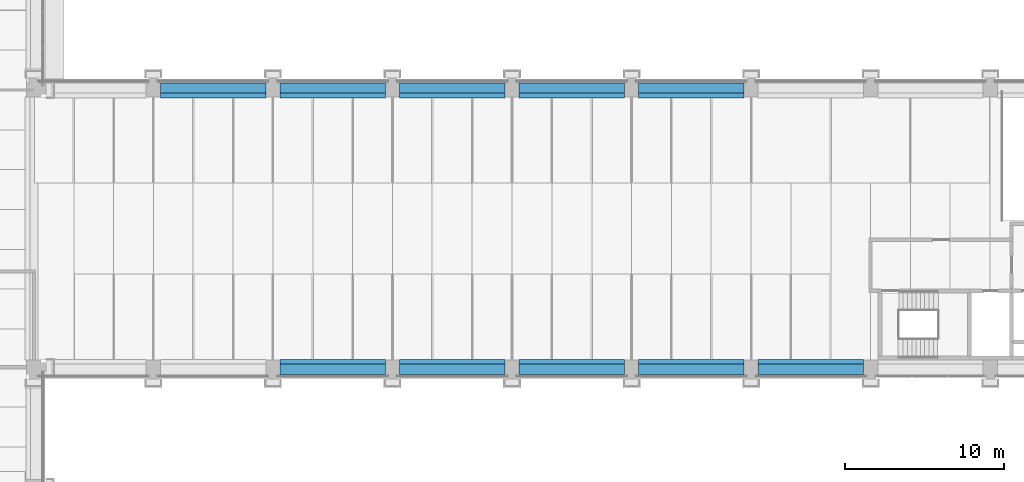
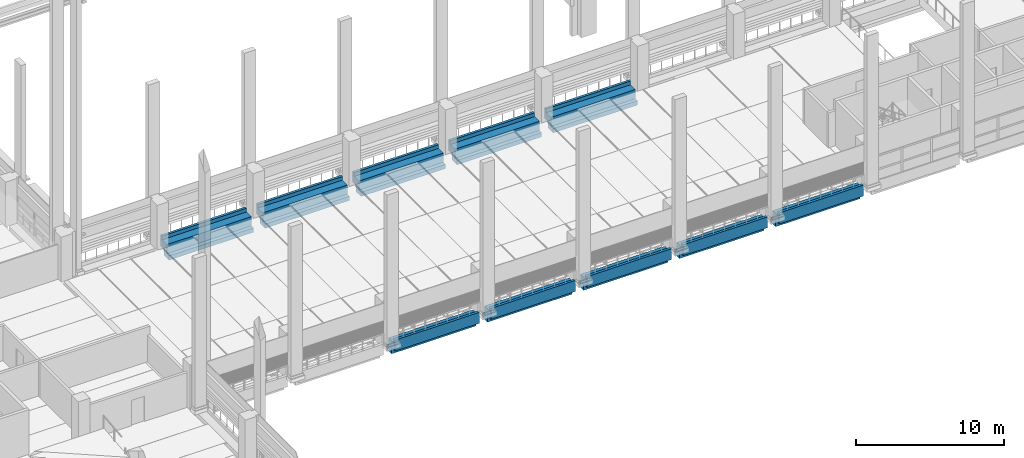
# One storey, part 6 of 67: 10 beams.
"""IFC4 building model written with IfcOpenShell, lengths in metres."""

import ifcopenshell
import ifcopenshell.guid

model = None  # the IFC model being written
_history = None  # IfcOwnerHistory: only IFC2X3 demands one
_inside = {}  # id of a spatial element -> (the spatial element, [elements in it])
_under = {}  # id of a project, library or spatial element -> (it, [spatial elements below it])
_declared = {}  # id of a project -> (the project, [libraries it declares])
_typed = {}  # id of a type object -> (the type object, [elements of that type])
_made_of = {}  # id of a material, layer set ... -> (it, [elements and type objects made of it])


def new_model(schema):
    """Start an empty IFC model of exactly this schema.

    Asked for "IFC4X3", IfcOpenShell would pick the latest addendum, in which some entities
    have other attributes; the version numbers below select the first issue.
    IFC2X3 requires an IfcOwnerHistory on every rooted entity: one is made here for all.
    """
    global model, _history
    if schema == "IFC4X3":
        model = ifcopenshell.file(schema_version=(4, 3, 0, 0))
    else:
        model = ifcopenshell.file(schema=schema)
    _inside.clear()
    _under.clear()
    _declared.clear()
    _typed.clear()
    _made_of.clear()
    _history = None
    if model.schema == "IFC2X3":
        org = make("IfcOrganization", Name="unknown")
        user = make(
            "IfcPersonAndOrganization",
            ThePerson=make("IfcPerson", FamilyName="unknown"),
            TheOrganization=org,
        )
        app = make(
            "IfcApplication",
            ApplicationDeveloper=org,
            Version="unknown",
            ApplicationFullName="unknown",
            ApplicationIdentifier="unknown",
        )
        _history = make(
            "IfcOwnerHistory",
            OwningUser=user,
            OwningApplication=app,
            ChangeAction="ADDED",
            CreationDate=0,
        )
    return model


def make(cls, **values):
    """One entity of the class cls with the attributes given. An attribute that is None is left unset."""
    return model.create_entity(
        cls, **{name: value for name, value in values.items() if value is not None}
    )


def rooted(cls, **values):
    """An entity with a GlobalId (a new one), such as an element, a storey or a relation."""
    return make(cls, GlobalId=ifcopenshell.guid.new(), OwnerHistory=_history, **values)


def si_unit(unit_type, name, prefix=None):
    """IfcSIUnit, for example si_unit("LENGTHUNIT", "METRE", prefix="MILLI")."""
    return make("IfcSIUnit", UnitType=unit_type, Prefix=prefix, Name=name)


def assignment(units):
    """IfcUnitAssignment: the units of a project."""
    return None if units is None else make("IfcUnitAssignment", Units=units)


def point(xyz):
    """IfcCartesianPoint."""
    return None if xyz is None else make("IfcCartesianPoint", Coordinates=xyz)


def direction(xyz):
    """IfcDirection."""
    return None if xyz is None else make("IfcDirection", DirectionRatios=xyz)


def frame(location, z_axis=None, x_axis=None):
    """IfcAxis2Placement3D, a coordinate frame: its origin and axes. An axis left out is left unset."""
    return make(
        "IfcAxis2Placement3D",
        Location=point(location),
        Axis=direction(z_axis),
        RefDirection=direction(x_axis),
    )


def origin():
    """The frame at (0, 0, 0) with its axes left unset."""
    return frame((0.0, 0.0, 0.0))


def place(relative_to, where):
    """IfcLocalPlacement: puts the frame where relative to a parent placement (None: the world)."""
    return make(
        "IfcLocalPlacement", PlacementRelTo=relative_to, RelativePlacement=where
    )


def context(
    kind, dimensions, precision=None, world=None, true_north=None, identifier=None
):
    """IfcGeometricRepresentationContext, for example the 3D "Model" context."""
    return make(
        "IfcGeometricRepresentationContext",
        ContextIdentifier=identifier,
        ContextType=kind,
        CoordinateSpaceDimension=dimensions,
        Precision=precision,
        WorldCoordinateSystem=world,
        TrueNorth=true_north,
    )


def subcontext(parent, identifier, kind, view, scale=None):
    """IfcGeometricRepresentationSubContext, for example "Body" below "Model"."""
    return make(
        "IfcGeometricRepresentationSubContext",
        ContextIdentifier=identifier,
        ContextType=kind,
        ParentContext=parent,
        TargetScale=scale,
        TargetView=view,
    )


def project(units=None, contexts=None):
    """IfcProject with its units and contexts."""
    return rooted(
        "IfcProject",
        Name="project",
        RepresentationContexts=contexts,
        UnitsInContext=assignment(units),
    )


def spatial(cls, under=None, at=None, **own):
    """A site, building, storey or space (cls), placed at a placement, below another one or the project."""
    s = rooted(cls, ObjectPlacement=at, **own)
    if under is not None:
        _under.setdefault(under.id(), (under, []))[1].append(s)
    return s


def polyline(points):
    """IfcPolyline through the points."""
    return make("IfcPolyline", Points=[point(p) for p in points])


def outline(outer, holes=None, kind="AREA"):
    """IfcArbitraryClosedProfileDef: a profile drawn as a closed curve; with holes, ...WithVoids."""
    if holes is None:
        return make("IfcArbitraryClosedProfileDef", ProfileType=kind, OuterCurve=outer)
    return make(
        "IfcArbitraryProfileDefWithVoids",
        ProfileType=kind,
        OuterCurve=outer,
        InnerCurves=holes,
    )


def extrude(swept, where, along, depth):
    """IfcExtrudedAreaSolid: the profile swept, set in the frame where, extruded along a direction by depth."""
    return make(
        "IfcExtrudedAreaSolid",
        SweptArea=swept,
        Position=where,
        ExtrudedDirection=direction(along),
        Depth=depth,
    )


def shape(context_of_items, identifier, shape_type, items):
    """IfcShapeRepresentation: the items that make up one representation, for example the "Body"."""
    return make(
        "IfcShapeRepresentation",
        ContextOfItems=context_of_items,
        RepresentationIdentifier=identifier,
        RepresentationType=shape_type,
        Items=items,
    )


def material(Name=None, Category=None):
    """IfcMaterial."""
    return make("IfcMaterial", Name=Name, Category=Category)


def material_profile(
    of_material, cross_section, Name=None, Category=None, Priority=None
):
    """IfcMaterialProfile: a cross section and its material."""
    return make(
        "IfcMaterialProfile",
        Name=Name,
        Material=of_material,
        Profile=cross_section,
        Priority=Priority,
        Category=Category,
    )


def profile_set(profiles, Name=None, composite=None):
    """IfcMaterialProfileSet."""
    return make(
        "IfcMaterialProfileSet",
        Name=Name,
        MaterialProfiles=profiles,
        CompositeProfile=composite,
    )


def made_of(thing, what):
    """Note that an element or type object is made of a material, layer set ...; save() writes the relation."""
    if what is not None:
        _made_of.setdefault(what.id(), (what, []))[1].append(thing)
    return thing


def type_object(cls, material=None, **own):
    """A type object (cls), such as IfcWallType, which elements share."""
    return made_of(rooted(cls, **own), material)


def element(
    cls,
    number,
    at=None,
    inside=None,
    cuts=None,
    type_object=None,
    material=None,
    context=None,
    identifier="Body",
    shape_type=None,
    held_by="IfcProductDefinitionShape",
    body=None,
    shapes=None,
    **own,
):
    """One element of the class cls, such as IfcWall. Its Tag is "e" and its number.

    at: its placement. inside: the storey or other place that contains it. cuts: it is an
    opening in that element (IfcRelVoidsElement). A single representation is given by context,
    identifier, shape_type and body (its items); several are given by shapes. held_by: the class
    of the entity that holds the representations. save() writes the other relations.
    """
    e = rooted(cls, Tag="e%d" % number, ObjectPlacement=at, **own)
    if body is not None:
        shapes = [shape(context, identifier, shape_type, body)]
    if shapes is not None:
        e.Representation = make(held_by, Representations=shapes)
    if inside is not None:
        _inside.setdefault(inside.id(), (inside, []))[1].append(e)
    if cuts is not None:
        rooted(
            "IfcRelVoidsElement", RelatingBuildingElement=cuts, RelatedOpeningElement=e
        )
    if type_object is not None:
        _typed.setdefault(type_object.id(), (type_object, []))[1].append(e)
    return made_of(e, material)


def aggregate(whole, parts):
    """IfcRelAggregates: a whole, such as a stair, and the parts it consists of."""
    return rooted("IfcRelAggregates", RelatingObject=whole, RelatedObjects=parts)


def save(model, path):
    """Write the relations noted so far, then the file.

    IfcRelAggregates (storeys below a building ...), IfcRelContainedInSpatialStructure (elements
    in a storey), IfcRelDefinesByType, IfcRelAssociatesMaterial and IfcRelDeclares: one each for
    every whole, place, type object, material and project.
    """
    for whole, parts in _under.values():
        aggregate(whole, parts)
    for where, things in _inside.values():
        rooted(
            "IfcRelContainedInSpatialStructure",
            RelatedElements=things,
            RelatingStructure=where,
        )
    for kind, things in _typed.values():
        rooted("IfcRelDefinesByType", RelatedObjects=things, RelatingType=kind)
    for what, things in _made_of.values():
        rooted("IfcRelAssociatesMaterial", RelatedObjects=things, RelatingMaterial=what)
    for by, libraries in _declared.values():
        rooted("IfcRelDeclares", RelatingContext=by, RelatedDefinitions=libraries)
    model.write(path)


model = new_model("IFC4")

# Units and contexts
model_context = context("Model", 3, precision=1e-05, world=origin(), true_north=direction((0.0, 1.0)))
body_context = subcontext(model_context, "Body", "Model", "MODEL_VIEW")
ifc_project = project(units=[si_unit("LENGTHUNIT", "METRE"), si_unit("AREAUNIT", "SQUARE_METRE"), si_unit("VOLUMEUNIT", "CUBIC_METRE"), si_unit("PLANEANGLEUNIT", "RADIAN"), si_unit("MASSUNIT", "GRAM", prefix="KILO")], contexts=[model_context])

# Site, building, storey
site_placement = place(None, origin())
site = spatial("IfcSite", under=ifc_project, at=site_placement, CompositionType="ELEMENT")
building_placement = place(site_placement, origin())
building = spatial("IfcBuilding", under=site, at=building_placement, Name="Cour d'Honneur Mobility Palace", CompositionType="ELEMENT")
storey_placement = place(building_placement, frame((0.0, 0.0, 4.5)))
storey = spatial("IfcBuildingStorey", under=building, at=storey_placement, Name="L01", CompositionType="ELEMENT", Elevation=4.5)

# Beams
ifc_material_1 = material(Name="Concrete C45", Category="concrete")
ifc_material_profile_1 = material_profile(ifc_material_1, outline(polyline([(0.5, -1.10009765625), (0.5, -0.75), (0.199951171875, -0.75), (0.199951171875, 0.0), (-0.199951171875, 0.0), (-0.449951171875, 0.0), (-0.449951171875, 0.300048828125), (-0.64990234375, 0.300048828125), (-0.64990234375, -0.60009765625), (-0.199951171875, -0.60009765625), (-0.199951171875, -1.10009765625), (0.5, -1.10009765625)])), Name="Ledger Beam 400x1100 ledge left 350 facade right")
ifc_profile_set_1 = profile_set([ifc_material_profile_1], Name="Concrete C45")
beam_type_1 = type_object("IfcBeamType", Name="Ledger Beam 400x1100 ledge left 350 facade right", PredefinedType="BEAM", material=ifc_profile_set_1)
for number, where, z_axis, x_axis, name in (
    (1, (32.85009765625, 45.0, 0.0), (1.0, 0.0, 0.0), (0.0, 1.0, 0.0), "Precast beam B2 4-5 L01"),
    (2, (40.35009765625, 45.0, 0.0), (1.0, 0.0, 0.0), (0.0, 1.0, 0.0), "Precast beam B2 5-6 L01"),
    (3, (47.85009765625, 45.0, 0.0), (1.0, 0.0, 0.0), (0.0, 1.0, 0.0), "Precast beam B2 6-7 L01"),
    (4, (55.35009765625, 45.0, 0.0), (1.0, 0.0, 0.0), (0.0, 1.0, 0.0), "Precast beam B2 7-8 L01"),
    (5, (62.85009765625, 45.0, 0.0), (1.0, 0.0, 0.0), (0.0, 1.0, 0.0), "Precast beam B2 8-9 L01"),
):
    element("IfcBeam", number, at=place(storey_placement, frame(where, z_axis=z_axis, x_axis=x_axis)), inside=storey, type_object=beam_type_1, Name=name, PredefinedType="BEAM", context=body_context, shape_type="SweptSolid", body=[
        extrude(outline(polyline([(0.5, -1.10009765625), (0.5, -0.75), (0.199951171875, -0.75), (0.199951171875, 0.0), (-0.199951171875, 0.0), (-0.449951171875, 0.0), (-0.449951171875, 0.300048828125), (-0.64990234375, 0.300048828125), (-0.64990234375, -0.60009765625), (-0.199951171875, -0.60009765625), (-0.199951171875, -1.10009765625), (0.5, -1.10009765625)])), origin(), (0.0, 0.0, 1.0), 6.599853515625),
    ])
ifc_material_2 = material(Name="Concrete C45", Category="concrete")
ifc_material_profile_2 = material_profile(ifc_material_2, outline(polyline([(0.199951171875, -1.10009765625), (0.199951171875, -0.60009765625), (0.64990234375, -0.60009765625), (0.64990234375, 0.300048828125), (0.449951171875, 0.300048828125), (0.449951171875, 0.0), (0.199951171875, 0.0), (-0.199951171875, 0.0), (-0.199951171875, -0.75), (-0.5, -0.75), (-0.5, -1.10009765625), (0.199951171875, -1.10009765625)])), Name="Ledger Beam 400x1100 ledge right 350 facade left")
ifc_profile_set_2 = profile_set([ifc_material_profile_2], Name="Concrete C45")
beam_type_2 = type_object("IfcBeamType", Name="Ledger Beam 400x1100 ledge right 350 facade left", PredefinedType="BEAM", material=ifc_profile_set_2)
for number, where, z_axis, x_axis, name in (
    (6, (25.35009765625, 62.39990234375, 0.0), (1.0, 0.0, 0.0), (0.0, 1.0, 0.0), "Precast beam B4 3-4 L01"),
    (7, (32.85009765625, 62.39990234375, 0.0), (1.0, 0.0, 0.0), (0.0, 1.0, 0.0), "Precast beam B4 4-5 L01"),
    (8, (40.35009765625, 62.39990234375, 0.0), (1.0, 0.0, 0.0), (0.0, 1.0, 0.0), "Precast beam B4 5-6 L01"),
    (9, (47.85009765625, 62.39990234375, 0.0), (1.0, 0.0, 0.0), (0.0, 1.0, 0.0), "Precast beam B4 6-7 L01"),
    (10, (55.35009765625, 62.39990234375, 0.0), (1.0, 0.0, 0.0), (0.0, 1.0, 0.0), "Precast beam B4 7-8 L01"),
):
    element("IfcBeam", number, at=place(storey_placement, frame(where, z_axis=z_axis, x_axis=x_axis)), inside=storey, type_object=beam_type_2, Name=name, PredefinedType="BEAM", context=body_context, shape_type="SweptSolid", body=[
        extrude(outline(polyline([(0.199951171875, -1.10009765625), (0.199951171875, -0.60009765625), (0.64990234375, -0.60009765625), (0.64990234375, 0.300048828125), (0.449951171875, 0.300048828125), (0.449951171875, 0.0), (0.199951171875, 0.0), (-0.199951171875, 0.0), (-0.199951171875, -0.75), (-0.5, -0.75), (-0.5, -1.10009765625), (0.199951171875, -1.10009765625)])), origin(), (0.0, 0.0, 1.0), 6.599853515625),
    ])

save(model, "model.ifc")
